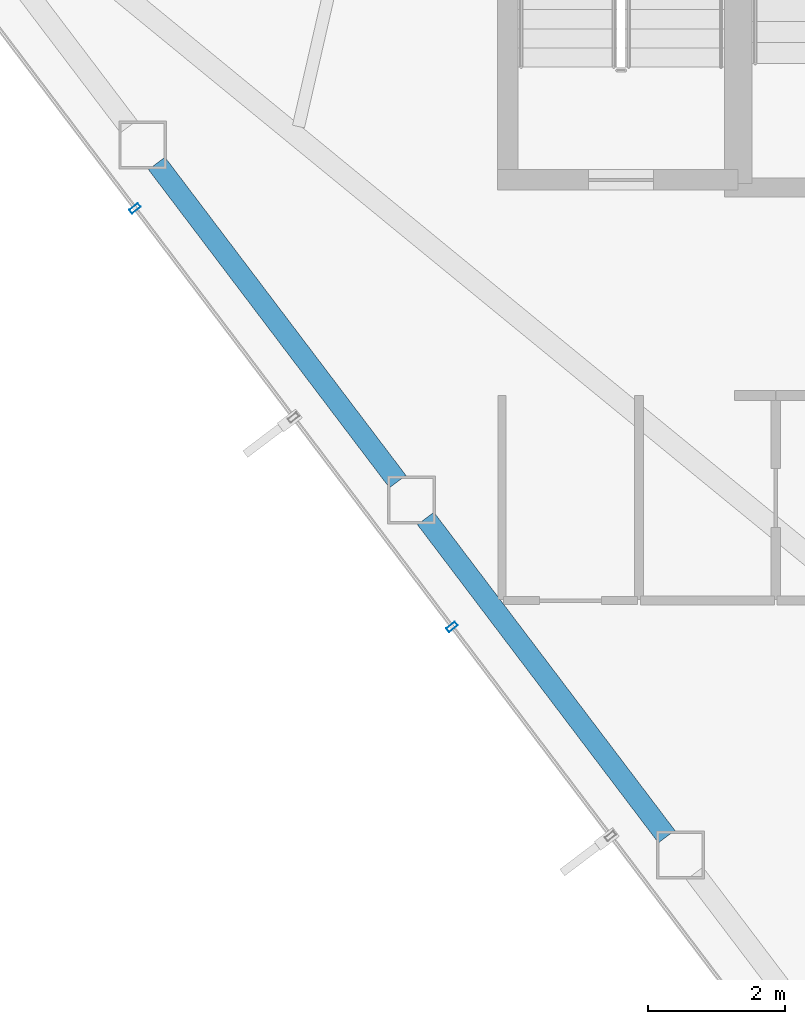
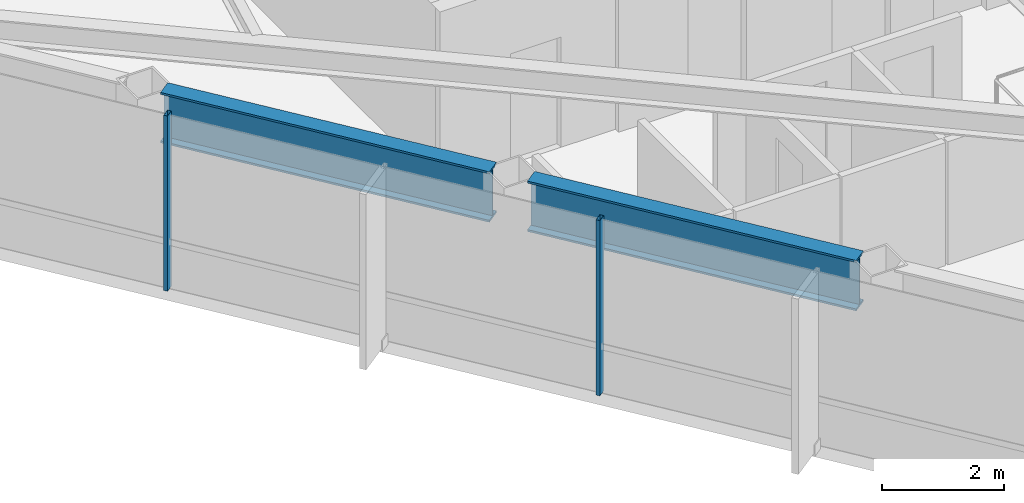
# One storey, part 3 of 28: 2 beams, 2 members, 1 element without a shape of its own.
"""IFC4 building model written with IfcOpenShell, lengths in metres."""

from ifc_helpers import new_model, si_unit, direction, frame, origin, origin_2d, place, context, subcontext, project, spatial, hollow_rectangle, i_section, extrude, material, layer, layer_set, material_profile, profile_set, type_object, element, aggregate, save


model = new_model("IFC4")

# Units and contexts
model_context = context("Model", 3, precision=1e-05, world=origin(), true_north=direction((0.0, 1.0)))
body_context = subcontext(model_context, "Body", "Model", "MODEL_VIEW")
ifc_project = project(units=[si_unit("LENGTHUNIT", "METRE"), si_unit("AREAUNIT", "SQUARE_METRE"), si_unit("VOLUMEUNIT", "CUBIC_METRE"), si_unit("PLANEANGLEUNIT", "RADIAN"), si_unit("MASSUNIT", "GRAM", prefix="KILO")], contexts=[model_context])

# Site, building, storey
site_placement = place(None, origin())
site = spatial("IfcSite", under=ifc_project, at=site_placement, CompositionType="ELEMENT")
building_placement = place(site_placement, origin())
building = spatial("IfcBuilding", under=site, at=building_placement, Name="Zarrinselat Tower", CompositionType="ELEMENT")
storey_placement = place(building_placement, frame((0.0, 0.0, 187.0)))
storey = spatial("IfcBuildingStorey", under=building, at=storey_placement, Name="L46", CompositionType="ELEMENT", Elevation=187.0)

# Beams
ifc_material_1 = material(Name="Steel S460M", Category="steel")
ifc_material_profile_1 = material_profile(ifc_material_1, i_section(OverallWidth=0.302001953125, OverallDepth=1.008056640625, WebThickness=0.02099609375, FlangeThickness=0.0400390625, at=origin_2d()), Name="HEM 1000")
ifc_profile_set_1 = profile_set([ifc_material_profile_1], Name="Steel S460M")
beam_type = type_object("IfcBeamType", Name="BM-HEM1000", PredefinedType="BEAM", material=ifc_profile_set_1)
beam_1_placement = place(storey_placement, frame((20.09912109375, 33.54248046875, 2.99609375), z_axis=(0.603841579957, -0.797104350958, 0.0), x_axis=(0.797104350958, 0.603841579957, 0.0)))
element("IfcBeam", 1, at=beam_1_placement, inside=storey, type_object=beam_type, Name="L46 Perimeter Spandrel Girder SP07", PredefinedType="BEAM", context=body_context, shape_type="SweptSolid", body=[
    extrude(i_section(OverallWidth=0.302001953125, OverallDepth=1.008056640625, WebThickness=0.02099609375, FlangeThickness=0.0400390625, at=origin_2d()), origin(), (0.0, 0.0, 1.0), 5.836181640625),
])
beam_2_placement = place(storey_placement, frame((24.031494140625, 28.351806640625, 2.99609375), z_axis=(0.603868157824, -0.797084216357, 0.0), x_axis=(0.797084216357, 0.603868157824, 0.0)))
element("IfcBeam", 2, at=beam_2_placement, inside=storey, type_object=beam_type, Name="L46 Perimeter Spandrel Girder SP08", PredefinedType="BEAM", context=body_context, shape_type="SweptSolid", body=[
    extrude(i_section(OverallWidth=0.302001953125, OverallDepth=1.008056640625, WebThickness=0.02099609375, FlangeThickness=0.0400390625, at=origin_2d()), origin(), (0.0, 0.0, 1.0), 5.83642578125),
])

# Curtain wall, members
ifc_material_2 = material(Name="Extruded Aluminium Alloy EN AW-6063 T6", Category="aluminium")
ifc_layer = layer(ifc_material_2, 0.175048828125)
ifc_layer_set = layer_set([ifc_layer], Name="Extruded Aluminium Alloy EN AW-6063 T6")
curtain_wall_type = type_object("IfcCurtainWallType", Name="CWS-HTL", PredefinedType="NOTDEFINED", material=ifc_layer_set)
curtain_wall_placement = place(storey_placement, origin())
curtain_wall = element("IfcCurtainWall", 3, at=curtain_wall_placement, inside=storey, type_object=curtain_wall_type, Name="L46 Unitised Curtain Wall CW-L46-E03", PredefinedType="NOTDEFINED")
ifc_material_3 = material(Name="Extruded Aluminium Alloy EN AW-6063 T6", Category="aluminium")
ifc_material_profile_2 = material_profile(ifc_material_3, hollow_rectangle(XDim=0.070068359375, YDim=0.159912109375, WallThickness=0.00390625, at=origin_2d()), Name="RHS 160x70x4")
ifc_profile_set_2 = profile_set([ifc_material_profile_2], Name="Extruded Aluminium Alloy EN AW-6063 T6")
member_type = type_object("IfcMemberType", Name="MEM-CW-MUL2", PredefinedType="MULLION", material=ifc_profile_set_2)
member_1_placement = place(storey_placement, frame((19.781982421875, 32.884765625, 0.0), z_axis=(0.0, 0.0, 1.0), x_axis=(0.603857114659, -0.7970925825, 0.0)))
member_1 = element("IfcMember", 4, at=member_1_placement, type_object=member_type, Name="CW-L46-E03 Mullion 2", PredefinedType="MULLION", context=body_context, shape_type="SweptSolid", body=[
    extrude(hollow_rectangle(XDim=0.070068359375, YDim=0.159912109375, WallThickness=0.00390625, at=origin_2d()), origin(), (0.0, 0.0, 1.0), 3.5),
])
member_2_placement = place(storey_placement, frame((24.4169921875, 26.7666015625, 0.0), z_axis=(0.0, 0.0, 1.0), x_axis=(0.603857114659, -0.7970925825, 0.0)))
member_2 = element("IfcMember", 5, at=member_2_placement, type_object=member_type, Name="CW-L46-E03 Mullion 4", PredefinedType="MULLION", context=body_context, shape_type="SweptSolid", body=[
    extrude(hollow_rectangle(XDim=0.070068359375, YDim=0.159912109375, WallThickness=0.00390625, at=origin_2d()), origin(), (0.0, 0.0, 1.0), 3.5),
])
aggregate(curtain_wall, [member_1, member_2])

save(model, "model.ifc")
